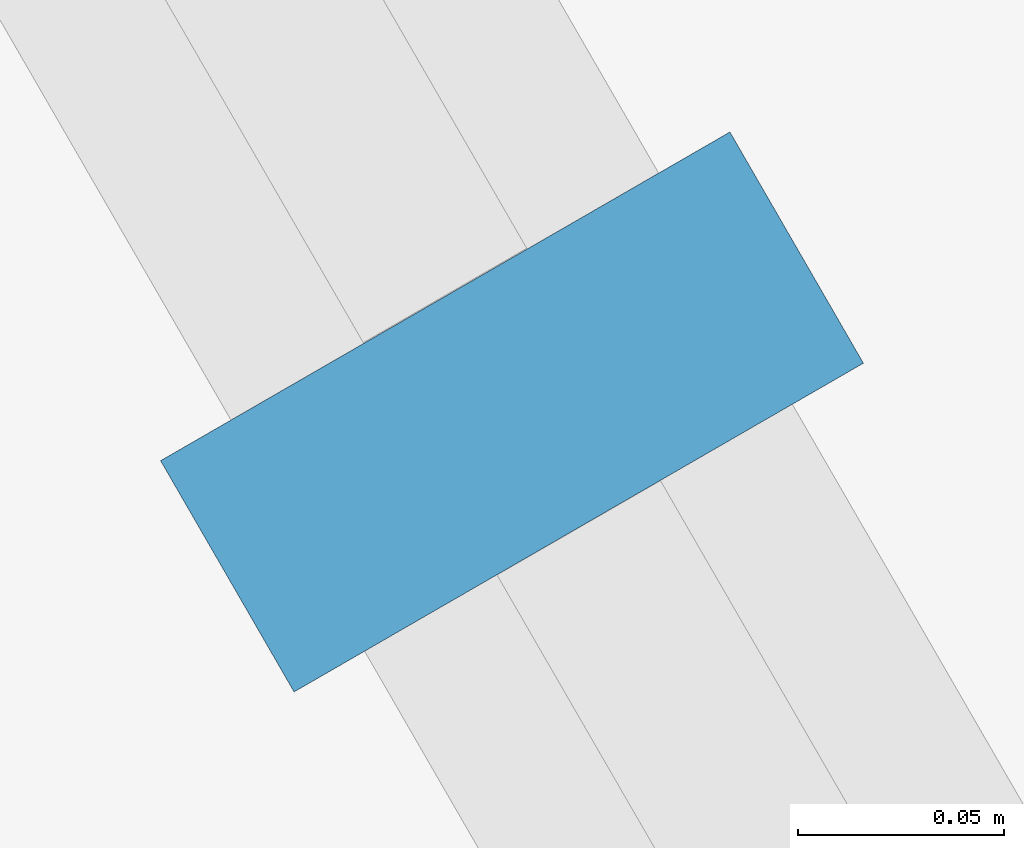
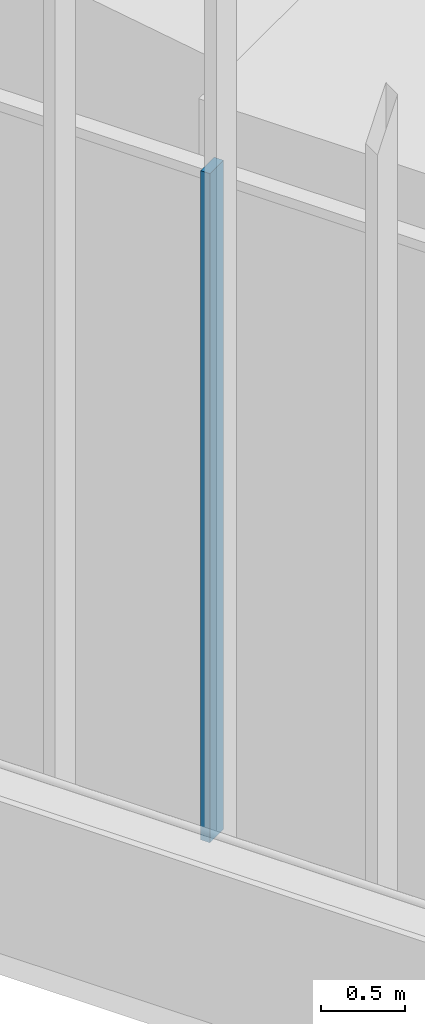
# One storey, part 62 of 228: 1 member, 1 element without a shape of its own.
"""IFC4 building model written with IfcOpenShell, lengths in metres."""

from ifc_helpers import new_model, si_unit, direction, frame, origin, origin_2d, place, context, subcontext, project, spatial, rectangle, extrude, material, material_profile, profile_set, type_object, element, aggregate, save


model = new_model("IFC4")

# Units and contexts
model_context = context("Model", 3, precision=1e-05, world=origin(), true_north=direction((0.0, 1.0)))
body_context = subcontext(model_context, "Body", "Model", "MODEL_VIEW")
ifc_project = project(units=[si_unit("LENGTHUNIT", "METRE"), si_unit("AREAUNIT", "SQUARE_METRE"), si_unit("VOLUMEUNIT", "CUBIC_METRE"), si_unit("PLANEANGLEUNIT", "RADIAN"), si_unit("MASSUNIT", "GRAM", prefix="KILO")], contexts=[model_context])

# Site, building, storey
site_placement = place(None, origin())
site = spatial("IfcSite", under=ifc_project, at=site_placement, CompositionType="ELEMENT")
building_placement = place(site_placement, origin())
building = spatial("IfcBuilding", under=site, at=building_placement, Name="Sandreach Pilgrim Tower", CompositionType="ELEMENT")
storey_placement = place(building_placement, frame((0.0, 0.0, 178.199951171875)))
storey = spatial("IfcBuildingStorey", under=building, at=storey_placement, Name="L44", CompositionType="ELEMENT", Elevation=178.199951171875)

# Curtain wall, member
ifc_material_1 = material(Name="Aluminium framed curtain wall", Category="aluminium")
curtain_wall_type = type_object("IfcCurtainWallType", Name="Upper hotel tower curtain wall", PredefinedType="NOTDEFINED", material=ifc_material_1)
curtain_wall_placement = place(storey_placement, origin())
curtain_wall = element("IfcCurtainWall", 1, at=curtain_wall_placement, inside=storey, type_object=curtain_wall_type, Name="CW-3 L44 SW", PredefinedType="NOTDEFINED")
ifc_material_2 = material(Name="Aluminium extrusion", Category="aluminium")
ifc_material_profile = material_profile(ifc_material_2, rectangle(XDim=0.06494140625, YDim=0.159912109375, at=origin_2d()), Name="CW-3M 65X160")
ifc_profile_set = profile_set([ifc_material_profile], Name="Aluminium extrusion")
member_type = type_object("IfcMemberType", Name="CW-3 mullion", PredefinedType="MULLION", material=ifc_profile_set)
member_placement = place(storey_placement, frame((-25.087890625, 1.13330078125, 0.0), z_axis=(0.0, 0.0, 1.0), x_axis=(-0.5, 0.866025403784, 0.0)))
member = element("IfcMember", 2, at=member_placement, type_object=member_type, Name="CW-3 mullion 9", PredefinedType="MULLION", context=body_context, shape_type="SweptSolid", body=[
    extrude(rectangle(XDim=0.06494140625, YDim=0.159912109375, at=origin_2d()), origin(), (0.0, 0.0, 1.0), 4.840087890625),
])
aggregate(curtain_wall, [member])

save(model, "model.ifc")
